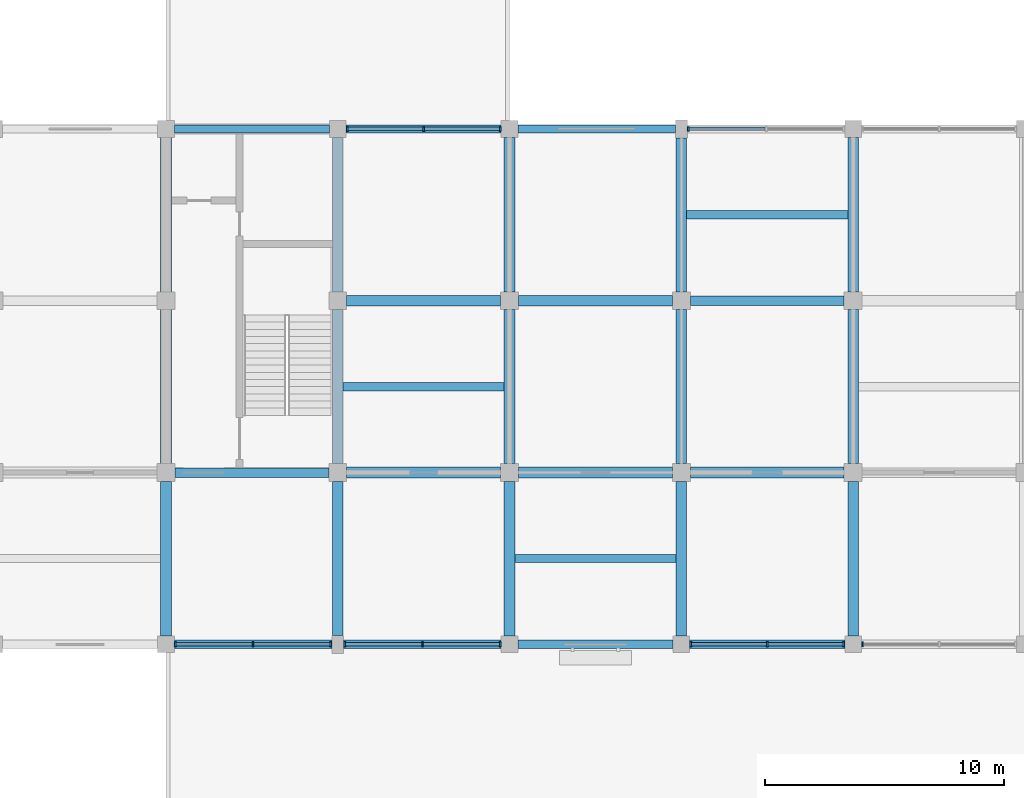
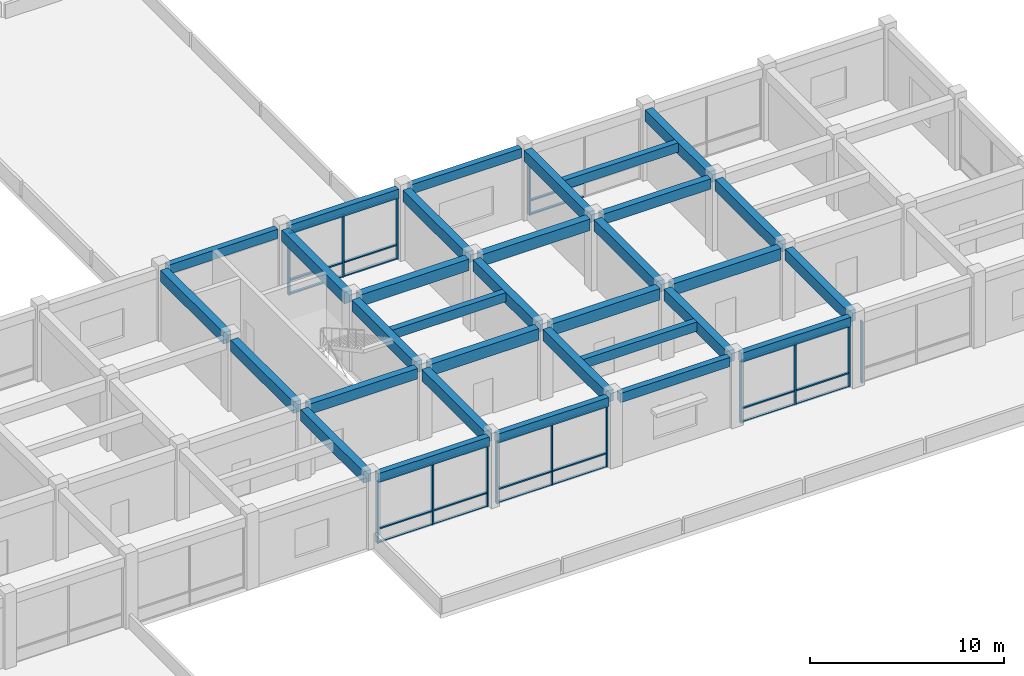
# One storey, part 12 of 30: 40 members, 32 beams, 6 elements without a shape of their own.
"""IFC4 building model written with IfcOpenShell, lengths in metres."""

from ifc_helpers import new_model, si_unit, direction, frame, origin, origin_2d, place, context, subcontext, project, spatial, rectangle, extrude, material, layer, layer_set, material_profile, profile_set, type_object, element, aggregate, save


model = new_model("IFC4")

# Units and contexts
model_context = context("Model", 3, precision=1e-05, world=origin(), true_north=direction((0.0, 1.0)))
body_context = subcontext(model_context, "Body", "Model", "MODEL_VIEW")
ifc_project = project(units=[si_unit("LENGTHUNIT", "METRE"), si_unit("AREAUNIT", "SQUARE_METRE"), si_unit("VOLUMEUNIT", "CUBIC_METRE"), si_unit("PLANEANGLEUNIT", "RADIAN"), si_unit("MASSUNIT", "GRAM", prefix="KILO")], contexts=[model_context])

# Site, building, storey
site_placement = place(None, origin())
site = spatial("IfcSite", under=ifc_project, at=site_placement, CompositionType="ELEMENT")
building_placement = place(site_placement, origin())
building = spatial("IfcBuilding", under=site, at=building_placement, Name="Cendaluz Park School", CompositionType="ELEMENT")
storey_placement = place(building_placement, frame((0.0, 0.0, 9.60009765625)))
storey = spatial("IfcBuildingStorey", under=building, at=storey_placement, Name="L02", CompositionType="ELEMENT", Elevation=9.60009765625)

# Beams
ifc_material_1 = material(Name="Concrete C40/50", Category="concrete")
ifc_material_profile_1 = material_profile(ifc_material_1, rectangle(XDim=0.449951171875, YDim=0.719970703125, at=origin_2d()), Name="RC 450x720", Category="concrete")
ifc_profile_set_1 = profile_set([ifc_material_profile_1], Name="Concrete C40/50")
beam_type_1 = type_object("IfcBeamType", Name="BM-RC02", PredefinedType="BEAM", material=ifc_profile_set_1)
for number, where, z_axis, x_axis, name in (
    (1, (137.175048828125, 14.39990234375, 4.099853515625), (1.0, 0.0, 0.0), (0.0, 1.0, 0.0), "BM-L02-BMRC02-0108"),
    (2, (137.175048828125, 21.60009765625, 4.099853515625), (1.0, 0.0, 0.0), (0.0, 1.0, 0.0), "BM-L02-BMRC02-0109"),
    (3, (144.375, 14.39990234375, 4.099853515625), (1.0, 0.0, 0.0), (0.0, 1.0, 0.0), "BM-L02-BMRC02-0112"),
    (4, (144.375, 21.60009765625, 4.099853515625), (1.0, 0.0, 0.0), (0.0, 1.0, 0.0), "BM-L02-BMRC02-0113"),
    (5, (151.574951171875, 14.39990234375, 4.099853515625), (1.0, 0.0, 0.0), (0.0, 1.0, 0.0), "BM-L02-BMRC02-0116"),
):
    element("IfcBeam", number, at=place(storey_placement, frame(where, z_axis=z_axis, x_axis=x_axis)), inside=storey, type_object=beam_type_1, Name=name, PredefinedType="BEAM", context=body_context, shape_type="SweptSolid", body=[
        extrude(rectangle(XDim=0.449951171875, YDim=0.719970703125, at=origin_2d()), origin(), (0.0, 0.0, 1.0), 6.449951171875),
    ])
beam_1_placement = place(storey_placement, frame((129.60009765625, 7.550048828125, 4.099853515625), z_axis=(0.0, 1.0, 0.0), x_axis=(-1.0, 0.0, 0.0)))
element("IfcBeam", 6, at=beam_1_placement, inside=storey, type_object=beam_type_1, Name="BM-L02-BMRC02-0223", PredefinedType="BEAM", context=body_context, shape_type="SweptSolid", body=[
    extrude(rectangle(XDim=0.449951171875, YDim=0.719970703125, at=origin_2d()), origin(), (0.0, 0.0, 1.0), 6.474853515625),
])
beam_2_placement = place(storey_placement, frame((129.60009765625, 14.77490234375, 4.099853515625), z_axis=(0.0, 1.0, 0.0), x_axis=(-1.0, 0.0, 0.0)))
element("IfcBeam", 7, at=beam_2_placement, inside=storey, type_object=beam_type_1, Name="BM-L02-BMRC02-0224", PredefinedType="BEAM", context=body_context, shape_type="SweptSolid", body=[
    extrude(rectangle(XDim=0.449951171875, YDim=0.719970703125, at=origin_2d()), origin(), (0.0, 0.0, 1.0), 6.4501953125),
])
beam_3_placement = place(storey_placement, frame((129.60009765625, 21.97509765625, 4.099853515625), z_axis=(0.0, 1.0, 0.0), x_axis=(-1.0, 0.0, 0.0)))
element("IfcBeam", 8, at=beam_3_placement, inside=storey, type_object=beam_type_1, Name="BM-L02-BMRC02-0225", PredefinedType="BEAM", context=body_context, shape_type="SweptSolid", body=[
    extrude(rectangle(XDim=0.449951171875, YDim=0.719970703125, at=origin_2d()), origin(), (0.0, 0.0, 1.0), 6.474853515625),
])
beam_4_placement = place(storey_placement, frame((136.800048828125, 7.574951171875, 4.099853515625), z_axis=(0.0, 1.0, 0.0), x_axis=(-1.0, 0.0, 0.0)))
element("IfcBeam", 9, at=beam_4_placement, inside=storey, type_object=beam_type_1, Name="BM-L02-BMRC02-0226", PredefinedType="BEAM", context=body_context, shape_type="SweptSolid", body=[
    extrude(rectangle(XDim=0.449951171875, YDim=0.719970703125, at=origin_2d()), origin(), (0.0, 0.0, 1.0), 6.449951171875),
])
beam_5_placement = place(storey_placement, frame((136.800048828125, 14.77490234375, 4.099853515625), z_axis=(0.0, 1.0, 0.0), x_axis=(-1.0, 0.0, 0.0)))
element("IfcBeam", 10, at=beam_5_placement, inside=storey, type_object=beam_type_1, Name="BM-L02-BMRC02-0227", PredefinedType="BEAM", context=body_context, shape_type="SweptSolid", body=[
    extrude(rectangle(XDim=0.449951171875, YDim=0.719970703125, at=origin_2d()), origin(), (0.0, 0.0, 1.0), 6.4501953125),
])
for number, where, z_axis, x_axis, name in (
    (11, (136.800048828125, 21.97509765625, 4.099853515625), (0.0, 1.0, 0.0), (-1.0, 0.0, 0.0), "BM-L02-BMRC02-0228"),
    (12, (144.0, 7.550048828125, 4.099853515625), (0.0, 1.0, 0.0), (-1.0, 0.0, 0.0), "BM-L02-BMRC02-0229"),
):
    element("IfcBeam", number, at=place(storey_placement, frame(where, z_axis=z_axis, x_axis=x_axis)), inside=storey, type_object=beam_type_1, Name=name, PredefinedType="BEAM", context=body_context, shape_type="SweptSolid", body=[
        extrude(rectangle(XDim=0.449951171875, YDim=0.719970703125, at=origin_2d()), origin(), (0.0, 0.0, 1.0), 6.474853515625),
    ])
beam_6_placement = place(storey_placement, frame((144.0, 14.77490234375, 4.099853515625), z_axis=(0.0, 1.0, 0.0), x_axis=(-1.0, 0.0, 0.0)))
element("IfcBeam", 13, at=beam_6_placement, inside=storey, type_object=beam_type_1, Name="BM-L02-BMRC02-0230", PredefinedType="BEAM", context=body_context, shape_type="SweptSolid", body=[
    extrude(rectangle(XDim=0.449951171875, YDim=0.719970703125, at=origin_2d()), origin(), (0.0, 0.0, 1.0), 6.4501953125),
])
for number, where, z_axis, x_axis, name in (
    (14, (144.0, 21.97509765625, 4.099853515625), (0.0, 1.0, 0.0), (-1.0, 0.0, 0.0), "BM-L02-BMRC02-0231"),
    (15, (151.199951171875, 7.550048828125, 4.099853515625), (0.0, 1.0, 0.0), (-1.0, 0.0, 0.0), "BM-L02-BMRC02-0232"),
):
    element("IfcBeam", number, at=place(storey_placement, frame(where, z_axis=z_axis, x_axis=x_axis)), inside=storey, type_object=beam_type_1, Name=name, PredefinedType="BEAM", context=body_context, shape_type="SweptSolid", body=[
        extrude(rectangle(XDim=0.449951171875, YDim=0.719970703125, at=origin_2d()), origin(), (0.0, 0.0, 1.0), 6.474853515625),
    ])
beam_7_placement = place(storey_placement, frame((151.199951171875, 14.77490234375, 4.099853515625), z_axis=(0.0, 1.0, 0.0), x_axis=(-1.0, 0.0, 0.0)))
element("IfcBeam", 16, at=beam_7_placement, inside=storey, type_object=beam_type_1, Name="BM-L02-BMRC02-0233", PredefinedType="BEAM", context=body_context, shape_type="SweptSolid", body=[
    extrude(rectangle(XDim=0.449951171875, YDim=0.719970703125, at=origin_2d()), origin(), (0.0, 0.0, 1.0), 6.4501953125),
])
beam_8_placement = place(storey_placement, frame((151.199951171875, 21.97509765625, 4.099853515625), z_axis=(0.0, 1.0, 0.0), x_axis=(-1.0, 0.0, 0.0)))
element("IfcBeam", 17, at=beam_8_placement, inside=storey, type_object=beam_type_1, Name="BM-L02-BMRC02-0234", PredefinedType="BEAM", context=body_context, shape_type="SweptSolid", body=[
    extrude(rectangle(XDim=0.449951171875, YDim=0.719970703125, at=origin_2d()), origin(), (0.0, 0.0, 1.0), 6.449951171875),
])
beam_9_placement = place(storey_placement, frame((158.39990234375, 7.550048828125, 4.099853515625), z_axis=(0.0, 1.0, 0.0), x_axis=(-1.0, 0.0, 0.0)))
element("IfcBeam", 18, at=beam_9_placement, inside=storey, type_object=beam_type_1, Name="BM-L02-BMRC02-0235", PredefinedType="BEAM", context=body_context, shape_type="SweptSolid", body=[
    extrude(rectangle(XDim=0.449951171875, YDim=0.719970703125, at=origin_2d()), origin(), (0.0, 0.0, 1.0), 6.474853515625),
])
beam_10_placement = place(storey_placement, frame((158.39990234375, 14.77490234375, 4.099853515625), z_axis=(0.0, 1.0, 0.0), x_axis=(-1.0, 0.0, 0.0)))
element("IfcBeam", 19, at=beam_10_placement, inside=storey, type_object=beam_type_1, Name="BM-L02-BMRC02-0236", PredefinedType="BEAM", context=body_context, shape_type="SweptSolid", body=[
    extrude(rectangle(XDim=0.449951171875, YDim=0.719970703125, at=origin_2d()), origin(), (0.0, 0.0, 1.0), 6.4501953125),
])
beam_11_placement = place(storey_placement, frame((158.39990234375, 21.97509765625, 4.099853515625), z_axis=(0.0, 1.0, 0.0), x_axis=(-1.0, 0.0, 0.0)))
element("IfcBeam", 20, at=beam_11_placement, inside=storey, type_object=beam_type_1, Name="BM-L02-BMRC02-0237", PredefinedType="BEAM", context=body_context, shape_type="SweptSolid", body=[
    extrude(rectangle(XDim=0.449951171875, YDim=0.719970703125, at=origin_2d()), origin(), (0.0, 0.0, 1.0), 6.474853515625),
])
ifc_material_profile_2 = material_profile(ifc_material_1, rectangle(XDim=0.39990234375, YDim=0.64990234375, at=origin_2d()), Name="RC 400x650", Category="concrete")
ifc_profile_set_2 = profile_set([ifc_material_profile_2], Name="Concrete C40/50")
beam_type_2 = type_object("IfcBeamType", Name="BM-RC03", PredefinedType="T_BEAM", material=ifc_profile_set_2)
for number, where, z_axis, x_axis, name in (
    (21, (129.97509765625, 14.39990234375, 4.135009765625), (1.0, 0.0, 0.0), (0.0, 1.0, 0.0), "BM-L02-BMRC03-0105"),
    (22, (151.574951171875, 21.60009765625, 4.135009765625), (1.0, 0.0, 0.0), (0.0, 1.0, 0.0), "BM-L02-BMRC03-0117"),
):
    element("IfcBeam", number, at=place(storey_placement, frame(where, z_axis=z_axis, x_axis=x_axis)), inside=storey, type_object=beam_type_2, Name=name, PredefinedType="T_BEAM", context=body_context, shape_type="SweptSolid", body=[
        extrude(rectangle(XDim=0.39990234375, YDim=0.64990234375, at=origin_2d()), origin(), (0.0, 0.0, 1.0), 6.449951171875),
    ])
ifc_material_profile_3 = material_profile(ifc_material_1, rectangle(XDim=0.35009765625, YDim=0.580078125, at=origin_2d()), Name="RC 350x580", Category="concrete")
ifc_profile_set_3 = profile_set([ifc_material_profile_3], Name="Concrete C40/50")
beam_type_3 = type_object("IfcBeamType", Name="BM-RC04", PredefinedType="LINTEL", material=ifc_profile_set_3)
beam_12_placement = place(storey_placement, frame((129.949951171875, 7.199951171875, 4.169921875), z_axis=(1.0, 0.0, 0.0), x_axis=(0.0, 1.0, 0.0)))
element("IfcBeam", 23, at=beam_12_placement, inside=storey, type_object=beam_type_3, Name="BM-L02-BMRC04-0104", PredefinedType="LINTEL", context=body_context, shape_type="SweptSolid", body=[
    extrude(rectangle(XDim=0.35009765625, YDim=0.580078125, at=origin_2d()), origin(), (0.0, 0.0, 1.0), 6.60009765625),
])
beam_13_placement = place(storey_placement, frame((129.949951171875, 28.800048828125, 4.169921875), z_axis=(1.0, 0.0, 0.0), x_axis=(0.0, 1.0, 0.0)))
element("IfcBeam", 24, at=beam_13_placement, inside=storey, type_object=beam_type_3, Name="BM-L02-BMRC04-0106", PredefinedType="LINTEL", context=body_context, shape_type="SweptSolid", body=[
    extrude(rectangle(XDim=0.35009765625, YDim=0.580078125, at=origin_2d()), origin(), (0.0, 0.0, 1.0), 6.5),
])
beam_14_placement = place(storey_placement, frame((137.050048828125, 7.199951171875, 4.169921875), z_axis=(1.0, 0.0, 0.0), x_axis=(0.0, 1.0, 0.0)))
element("IfcBeam", 25, at=beam_14_placement, inside=storey, type_object=beam_type_3, Name="BM-L02-BMRC04-0107", PredefinedType="LINTEL", context=body_context, shape_type="SweptSolid", body=[
    extrude(rectangle(XDim=0.35009765625, YDim=0.580078125, at=origin_2d()), origin(), (0.0, 0.0, 1.0), 6.599853515625),
])
for number, where, z_axis, x_axis, name in (
    (26, (137.14990234375, 28.800048828125, 4.169921875), (1.0, 0.0, 0.0), (0.0, 1.0, 0.0), "BM-L02-BMRC04-0110"),
    (27, (144.35009765625, 7.199951171875, 4.169921875), (1.0, 0.0, 0.0), (0.0, 1.0, 0.0), "BM-L02-BMRC04-0111"),
):
    element("IfcBeam", number, at=place(storey_placement, frame(where, z_axis=z_axis, x_axis=x_axis)), inside=storey, type_object=beam_type_3, Name=name, PredefinedType="LINTEL", context=body_context, shape_type="SweptSolid", body=[
        extrude(rectangle(XDim=0.35009765625, YDim=0.580078125, at=origin_2d()), origin(), (0.0, 0.0, 1.0), 6.5),
    ])
beam_15_placement = place(storey_placement, frame((144.35009765625, 28.800048828125, 4.169921875), z_axis=(1.0, 0.0, 0.0), x_axis=(0.0, 1.0, 0.0)))
element("IfcBeam", 28, at=beam_15_placement, inside=storey, type_object=beam_type_3, Name="BM-L02-BMRC04-0114", PredefinedType="LINTEL", context=body_context, shape_type="SweptSolid", body=[
    extrude(rectangle(XDim=0.35009765625, YDim=0.580078125, at=origin_2d()), origin(), (0.0, 0.0, 1.0), 6.599853515625),
])
beam_16_placement = place(storey_placement, frame((151.550048828125, 7.199951171875, 4.169921875), z_axis=(1.0, 0.0, 0.0), x_axis=(0.0, 1.0, 0.0)))
element("IfcBeam", 29, at=beam_16_placement, inside=storey, type_object=beam_type_3, Name="BM-L02-BMRC04-0115", PredefinedType="LINTEL", context=body_context, shape_type="SweptSolid", body=[
    extrude(rectangle(XDim=0.35009765625, YDim=0.580078125, at=origin_2d()), origin(), (0.0, 0.0, 1.0), 6.5),
])

# Curtain wall, members
ifc_material_2 = material(Name="Anodised Aluminium 6063-T6", Category="aluminium")
ifc_layer_1 = layer(ifc_material_2, 0.179931640625)
ifc_layer_set_1 = layer_set([ifc_layer_1], Name="Anodised Aluminium 6063-T6")
curtain_wall_type_1 = type_object("IfcCurtainWallType", Name="CW-132x78", PredefinedType="NOTDEFINED", material=ifc_layer_set_1)
curtain_wall_1_placement = place(storey_placement, origin())
curtain_wall_1 = element("IfcCurtainWall", 30, at=curtain_wall_1_placement, inside=storey, type_object=curtain_wall_type_1, Name="CW-L02-122", PredefinedType="NOTDEFINED")
ifc_material_profile_4 = material_profile(ifc_material_2, rectangle(XDim=0.199951171875, YDim=0.080078125, at=origin_2d()), Name="CWM 200x80", Category="aluminium")
ifc_profile_set_4 = profile_set([ifc_material_profile_4], Name="Anodised Aluminium 6063-T6")
member_type_1 = type_object("IfcMemberType", Name="CWM-02", PredefinedType="MULLION", material=ifc_profile_set_4)
member_1_placement = place(storey_placement, frame((129.989990234375, 7.199951171875, 0.0), z_axis=(0.0, 0.0, 1.0), x_axis=(0.0, 1.0, 0.0)))
member_1 = element("IfcMember", 31, at=member_1_placement, type_object=member_type_1, Name="CP-L02-1574", PredefinedType="MULLION", context=body_context, shape_type="SweptSolid", body=[
    extrude(rectangle(XDim=0.199951171875, YDim=0.080078125, at=origin_2d()), origin(), (0.0, 0.0, 1.0), 3.8798828125),
])
member_2_placement = place(storey_placement, frame((133.25, 7.199951171875, 0.0), z_axis=(0.0, 0.0, 1.0), x_axis=(0.0, 1.0, 0.0)))
member_2 = element("IfcMember", 32, at=member_2_placement, type_object=member_type_1, Name="CP-L02-1575", PredefinedType="MULLION", context=body_context, shape_type="SweptSolid", body=[
    extrude(rectangle(XDim=0.199951171875, YDim=0.080078125, at=origin_2d()), origin(), (0.0, 0.0, 1.0), 3.8798828125),
])
member_3_placement = place(storey_placement, frame((136.510009765625, 7.199951171875, 0.0), z_axis=(0.0, 0.0, 1.0), x_axis=(0.0, 1.0, 0.0)))
member_3 = element("IfcMember", 33, at=member_3_placement, type_object=member_type_1, Name="CP-L02-1576", PredefinedType="MULLION", context=body_context, shape_type="SweptSolid", body=[
    extrude(rectangle(XDim=0.199951171875, YDim=0.080078125, at=origin_2d()), origin(), (0.0, 0.0, 1.0), 3.8798828125),
])

curtain_wall_2_placement = place(storey_placement, origin())
curtain_wall_2 = element("IfcCurtainWall", 34, at=curtain_wall_2_placement, inside=storey, type_object=curtain_wall_type_1, Name="CW-L02-123", PredefinedType="NOTDEFINED")
member_4_placement = place(storey_placement, frame((137.090087890625, 7.199951171875, 0.0), z_axis=(0.0, 0.0, 1.0), x_axis=(0.0, 1.0, 0.0)))
member_4 = element("IfcMember", 35, at=member_4_placement, type_object=member_type_1, Name="CP-L02-1587", PredefinedType="MULLION", context=body_context, shape_type="SweptSolid", body=[
    extrude(rectangle(XDim=0.199951171875, YDim=0.080078125, at=origin_2d()), origin(), (0.0, 0.0, 1.0), 3.8798828125),
])
member_5_placement = place(storey_placement, frame((140.35009765625, 7.199951171875, 0.0), z_axis=(0.0, 0.0, 1.0), x_axis=(0.0, 1.0, 0.0)))
member_5 = element("IfcMember", 36, at=member_5_placement, type_object=member_type_1, Name="CP-L02-1588", PredefinedType="MULLION", context=body_context, shape_type="SweptSolid", body=[
    extrude(rectangle(XDim=0.199951171875, YDim=0.080078125, at=origin_2d()), origin(), (0.0, 0.0, 1.0), 3.8798828125),
])
member_6_placement = place(storey_placement, frame((143.610107421875, 7.199951171875, 0.0), z_axis=(0.0, 0.0, 1.0), x_axis=(0.0, 1.0, 0.0)))
member_6 = element("IfcMember", 37, at=member_6_placement, type_object=member_type_1, Name="CP-L02-1589", PredefinedType="MULLION", context=body_context, shape_type="SweptSolid", body=[
    extrude(rectangle(XDim=0.199951171875, YDim=0.080078125, at=origin_2d()), origin(), (0.0, 0.0, 1.0), 3.8798828125),
])

ifc_layer_2 = layer(ifc_material_2, 0.179931640625)
ifc_layer_set_2 = layer_set([ifc_layer_2], Name="Anodised Aluminium 6063-T6")
curtain_wall_type_2 = type_object("IfcCurtainWallType", Name="CW-130x78", PredefinedType="NOTDEFINED", material=ifc_layer_set_2)
curtain_wall_3_placement = place(storey_placement, origin())
curtain_wall_3 = element("IfcCurtainWall", 38, at=curtain_wall_3_placement, inside=storey, type_object=curtain_wall_type_2, Name="CW-L02-124", PredefinedType="NOTDEFINED")
member_7_placement = place(storey_placement, frame((137.18994140625, 28.800048828125, 0.0), z_axis=(0.0, 0.0, 1.0), x_axis=(0.0, 1.0, 0.0)))
member_7 = element("IfcMember", 39, at=member_7_placement, type_object=member_type_1, Name="CP-L02-1600", PredefinedType="MULLION", context=body_context, shape_type="SweptSolid", body=[
    extrude(rectangle(XDim=0.199951171875, YDim=0.080078125, at=origin_2d()), origin(), (0.0, 0.0, 1.0), 3.8798828125),
])
member_8_placement = place(storey_placement, frame((140.39990234375, 28.800048828125, 0.0), z_axis=(0.0, 0.0, 1.0), x_axis=(0.0, 1.0, 0.0)))
member_8 = element("IfcMember", 40, at=member_8_placement, type_object=member_type_1, Name="CP-L02-1601", PredefinedType="MULLION", context=body_context, shape_type="SweptSolid", body=[
    extrude(rectangle(XDim=0.199951171875, YDim=0.080078125, at=origin_2d()), origin(), (0.0, 0.0, 1.0), 3.8798828125),
])
member_9_placement = place(storey_placement, frame((143.610107421875, 28.800048828125, 0.0), z_axis=(0.0, 0.0, 1.0), x_axis=(0.0, 1.0, 0.0)))
member_9 = element("IfcMember", 41, at=member_9_placement, type_object=member_type_1, Name="CP-L02-1602", PredefinedType="MULLION", context=body_context, shape_type="SweptSolid", body=[
    extrude(rectangle(XDim=0.199951171875, YDim=0.080078125, at=origin_2d()), origin(), (0.0, 0.0, 1.0), 3.8798828125),
])

curtain_wall_4_placement = place(storey_placement, origin())
curtain_wall_4 = element("IfcCurtainWall", 42, at=curtain_wall_4_placement, inside=storey, type_object=curtain_wall_type_2, Name="CW-L02-125", PredefinedType="NOTDEFINED")
member_10_placement = place(storey_placement, frame((151.590087890625, 7.199951171875, 0.0), z_axis=(0.0, 0.0, 1.0), x_axis=(0.0, 1.0, 0.0)))
member_10 = element("IfcMember", 43, at=member_10_placement, type_object=member_type_1, Name="CP-L02-1613", PredefinedType="MULLION", context=body_context, shape_type="SweptSolid", body=[
    extrude(rectangle(XDim=0.199951171875, YDim=0.080078125, at=origin_2d()), origin(), (0.0, 0.0, 1.0), 3.8798828125),
])
member_11_placement = place(storey_placement, frame((154.800048828125, 7.199951171875, 0.0), z_axis=(0.0, 0.0, 1.0), x_axis=(0.0, 1.0, 0.0)))
member_11 = element("IfcMember", 44, at=member_11_placement, type_object=member_type_1, Name="CP-L02-1614", PredefinedType="MULLION", context=body_context, shape_type="SweptSolid", body=[
    extrude(rectangle(XDim=0.199951171875, YDim=0.080078125, at=origin_2d()), origin(), (0.0, 0.0, 1.0), 3.8798828125),
])
member_12_placement = place(storey_placement, frame((158.010009765625, 7.199951171875, 0.0), z_axis=(0.0, 0.0, 1.0), x_axis=(0.0, 1.0, 0.0)))
member_12 = element("IfcMember", 45, at=member_12_placement, type_object=member_type_1, Name="CP-L02-1615", PredefinedType="MULLION", context=body_context, shape_type="SweptSolid", body=[
    extrude(rectangle(XDim=0.199951171875, YDim=0.080078125, at=origin_2d()), origin(), (0.0, 0.0, 1.0), 3.8798828125),
])

# Curtain wall, member
curtain_wall_5_placement = place(storey_placement, origin())
curtain_wall_5 = element("IfcCurtainWall", 46, at=curtain_wall_5_placement, inside=storey, type_object=curtain_wall_type_1, Name="CW-L02-126", PredefinedType="NOTDEFINED")
member_13_placement = place(storey_placement, frame((151.489990234375, 28.800048828125, 0.0), z_axis=(0.0, 0.0, 1.0), x_axis=(0.0, 1.0, 0.0)))
member_13 = element("IfcMember", 47, at=member_13_placement, type_object=member_type_1, Name="CP-L02-1626", PredefinedType="MULLION", context=body_context, shape_type="SweptSolid", body=[
    extrude(rectangle(XDim=0.199951171875, YDim=0.080078125, at=origin_2d()), origin(), (0.0, 0.0, 1.0), 3.8798828125),
])

curtain_wall_6_placement = place(storey_placement, origin())
curtain_wall_6 = element("IfcCurtainWall", 48, at=curtain_wall_6_placement, inside=storey, type_object=curtain_wall_type_2, Name="CW-L02-127", PredefinedType="NOTDEFINED")
member_14_placement = place(storey_placement, frame((158.7900390625, 7.199951171875, 0.0), z_axis=(0.0, 0.0, 1.0), x_axis=(0.0, 1.0, 0.0)))
member_14 = element("IfcMember", 49, at=member_14_placement, type_object=member_type_1, Name="CP-L02-1639", PredefinedType="MULLION", context=body_context, shape_type="SweptSolid", body=[
    extrude(rectangle(XDim=0.199951171875, YDim=0.080078125, at=origin_2d()), origin(), (0.0, 0.0, 1.0), 3.8798828125),
])
aggregate(curtain_wall_6, [member_14])

# Member
ifc_material_profile_5 = material_profile(ifc_material_2, rectangle(XDim=0.14990234375, YDim=0.080078125, at=origin_2d()), Name="CWT 150x80", Category="aluminium")
ifc_profile_set_5 = profile_set([ifc_material_profile_5], Name="Anodised Aluminium 6063-T6")
member_type_2 = type_object("IfcMemberType", Name="CWT-02", PredefinedType="USERDEFINED", material=ifc_profile_set_5)
member_15_placement = place(storey_placement, frame((130.030029296875, 7.199951171875, 0.039794921875), z_axis=(1.0, 0.0, 0.0), x_axis=(0.0, 1.0, 0.0)))
member_15 = element("IfcMember", 50, at=member_15_placement, type_object=member_type_2, Name="CP-L02-1577", ObjectType="TRANSOM", PredefinedType="USERDEFINED", context=body_context, shape_type="SweptSolid", body=[
    extrude(rectangle(XDim=0.14990234375, YDim=0.080078125, at=origin_2d()), origin(), (0.0, 0.0, 1.0), 3.179931640625),
])

member_16_placement = place(storey_placement, frame((130.030029296875, 7.199951171875, 0.89990234375), z_axis=(1.0, 0.0, 0.0), x_axis=(0.0, 1.0, 0.0)))
member_16 = element("IfcMember", 51, at=member_16_placement, type_object=member_type_2, Name="CP-L02-1578", ObjectType="TRANSOM", PredefinedType="USERDEFINED", context=body_context, shape_type="SweptSolid", body=[
    extrude(rectangle(XDim=0.14990234375, YDim=0.080078125, at=origin_2d()), origin(), (0.0, 0.0, 1.0), 3.179931640625),
])

member_17_placement = place(storey_placement, frame((130.030029296875, 7.199951171875, 3.83984375), z_axis=(1.0, 0.0, 0.0), x_axis=(0.0, 1.0, 0.0)))
member_17 = element("IfcMember", 52, at=member_17_placement, type_object=member_type_2, Name="CP-L02-1579", ObjectType="TRANSOM", PredefinedType="USERDEFINED", context=body_context, shape_type="SweptSolid", body=[
    extrude(rectangle(XDim=0.14990234375, YDim=0.080078125, at=origin_2d()), origin(), (0.0, 0.0, 1.0), 3.179931640625),
])

member_18_placement = place(storey_placement, frame((133.2900390625, 7.199951171875, 0.039794921875), z_axis=(1.0, 0.0, 0.0), x_axis=(0.0, 1.0, 0.0)))
member_18 = element("IfcMember", 53, at=member_18_placement, type_object=member_type_2, Name="CP-L02-1582", ObjectType="TRANSOM", PredefinedType="USERDEFINED", context=body_context, shape_type="SweptSolid", body=[
    extrude(rectangle(XDim=0.14990234375, YDim=0.080078125, at=origin_2d()), origin(), (0.0, 0.0, 1.0), 3.179931640625),
])

member_19_placement = place(storey_placement, frame((133.2900390625, 7.199951171875, 0.89990234375), z_axis=(1.0, 0.0, 0.0), x_axis=(0.0, 1.0, 0.0)))
member_19 = element("IfcMember", 54, at=member_19_placement, type_object=member_type_2, Name="CP-L02-1583", ObjectType="TRANSOM", PredefinedType="USERDEFINED", context=body_context, shape_type="SweptSolid", body=[
    extrude(rectangle(XDim=0.14990234375, YDim=0.080078125, at=origin_2d()), origin(), (0.0, 0.0, 1.0), 3.179931640625),
])

member_20_placement = place(storey_placement, frame((133.2900390625, 7.199951171875, 3.83984375), z_axis=(1.0, 0.0, 0.0), x_axis=(0.0, 1.0, 0.0)))
member_20 = element("IfcMember", 55, at=member_20_placement, type_object=member_type_2, Name="CP-L02-1584", ObjectType="TRANSOM", PredefinedType="USERDEFINED", context=body_context, shape_type="SweptSolid", body=[
    extrude(rectangle(XDim=0.14990234375, YDim=0.080078125, at=origin_2d()), origin(), (0.0, 0.0, 1.0), 3.179931640625),
])

aggregate(curtain_wall_1, [member_1, member_2, member_3, member_15, member_16, member_17, member_18, member_19, member_20])

member_21_placement = place(storey_placement, frame((137.1298828125, 7.199951171875, 0.039794921875), z_axis=(1.0, 0.0, 0.0), x_axis=(0.0, 1.0, 0.0)))
member_21 = element("IfcMember", 56, at=member_21_placement, type_object=member_type_2, Name="CP-L02-1590", ObjectType="TRANSOM", PredefinedType="USERDEFINED", context=body_context, shape_type="SweptSolid", body=[
    extrude(rectangle(XDim=0.14990234375, YDim=0.080078125, at=origin_2d()), origin(), (0.0, 0.0, 1.0), 3.18017578125),
])

member_22_placement = place(storey_placement, frame((137.1298828125, 7.199951171875, 0.89990234375), z_axis=(1.0, 0.0, 0.0), x_axis=(0.0, 1.0, 0.0)))
member_22 = element("IfcMember", 57, at=member_22_placement, type_object=member_type_2, Name="CP-L02-1591", ObjectType="TRANSOM", PredefinedType="USERDEFINED", context=body_context, shape_type="SweptSolid", body=[
    extrude(rectangle(XDim=0.14990234375, YDim=0.080078125, at=origin_2d()), origin(), (0.0, 0.0, 1.0), 3.18017578125),
])

member_23_placement = place(storey_placement, frame((137.1298828125, 7.199951171875, 3.83984375), z_axis=(1.0, 0.0, 0.0), x_axis=(0.0, 1.0, 0.0)))
member_23 = element("IfcMember", 58, at=member_23_placement, type_object=member_type_2, Name="CP-L02-1592", ObjectType="TRANSOM", PredefinedType="USERDEFINED", context=body_context, shape_type="SweptSolid", body=[
    extrude(rectangle(XDim=0.14990234375, YDim=0.080078125, at=origin_2d()), origin(), (0.0, 0.0, 1.0), 3.18017578125),
])

member_24_placement = place(storey_placement, frame((140.389892578125, 7.199951171875, 0.039794921875), z_axis=(1.0, 0.0, 0.0), x_axis=(0.0, 1.0, 0.0)))
member_24 = element("IfcMember", 59, at=member_24_placement, type_object=member_type_2, Name="CP-L02-1595", ObjectType="TRANSOM", PredefinedType="USERDEFINED", context=body_context, shape_type="SweptSolid", body=[
    extrude(rectangle(XDim=0.14990234375, YDim=0.080078125, at=origin_2d()), origin(), (0.0, 0.0, 1.0), 3.18017578125),
])

member_25_placement = place(storey_placement, frame((140.389892578125, 7.199951171875, 0.89990234375), z_axis=(1.0, 0.0, 0.0), x_axis=(0.0, 1.0, 0.0)))
member_25 = element("IfcMember", 60, at=member_25_placement, type_object=member_type_2, Name="CP-L02-1596", ObjectType="TRANSOM", PredefinedType="USERDEFINED", context=body_context, shape_type="SweptSolid", body=[
    extrude(rectangle(XDim=0.14990234375, YDim=0.080078125, at=origin_2d()), origin(), (0.0, 0.0, 1.0), 3.18017578125),
])

member_26_placement = place(storey_placement, frame((140.389892578125, 7.199951171875, 3.83984375), z_axis=(1.0, 0.0, 0.0), x_axis=(0.0, 1.0, 0.0)))
member_26 = element("IfcMember", 61, at=member_26_placement, type_object=member_type_2, Name="CP-L02-1597", ObjectType="TRANSOM", PredefinedType="USERDEFINED", context=body_context, shape_type="SweptSolid", body=[
    extrude(rectangle(XDim=0.14990234375, YDim=0.080078125, at=origin_2d()), origin(), (0.0, 0.0, 1.0), 3.18017578125),
])

aggregate(curtain_wall_2, [member_4, member_5, member_6, member_21, member_22, member_23, member_24, member_25, member_26])

member_27_placement = place(storey_placement, frame((137.22998046875, 28.800048828125, 0.039794921875), z_axis=(1.0, 0.0, 0.0), x_axis=(0.0, 1.0, 0.0)))
member_27 = element("IfcMember", 62, at=member_27_placement, type_object=member_type_2, Name="CP-L02-1603", ObjectType="TRANSOM", PredefinedType="USERDEFINED", context=body_context, shape_type="SweptSolid", body=[
    extrude(rectangle(XDim=0.14990234375, YDim=0.080078125, at=origin_2d()), origin(), (0.0, 0.0, 1.0), 3.130126953125),
])

member_28_placement = place(storey_placement, frame((137.22998046875, 28.800048828125, 0.89990234375), z_axis=(1.0, 0.0, 0.0), x_axis=(0.0, 1.0, 0.0)))
member_28 = element("IfcMember", 63, at=member_28_placement, type_object=member_type_2, Name="CP-L02-1604", ObjectType="TRANSOM", PredefinedType="USERDEFINED", context=body_context, shape_type="SweptSolid", body=[
    extrude(rectangle(XDim=0.14990234375, YDim=0.080078125, at=origin_2d()), origin(), (0.0, 0.0, 1.0), 3.130126953125),
])

member_29_placement = place(storey_placement, frame((137.22998046875, 28.800048828125, 3.83984375), z_axis=(1.0, 0.0, 0.0), x_axis=(0.0, 1.0, 0.0)))
member_29 = element("IfcMember", 64, at=member_29_placement, type_object=member_type_2, Name="CP-L02-1605", ObjectType="TRANSOM", PredefinedType="USERDEFINED", context=body_context, shape_type="SweptSolid", body=[
    extrude(rectangle(XDim=0.14990234375, YDim=0.080078125, at=origin_2d()), origin(), (0.0, 0.0, 1.0), 3.130126953125),
])

member_30_placement = place(storey_placement, frame((140.43994140625, 28.800048828125, 0.039794921875), z_axis=(1.0, 0.0, 0.0), x_axis=(0.0, 1.0, 0.0)))
member_30 = element("IfcMember", 65, at=member_30_placement, type_object=member_type_2, Name="CP-L02-1608", ObjectType="TRANSOM", PredefinedType="USERDEFINED", context=body_context, shape_type="SweptSolid", body=[
    extrude(rectangle(XDim=0.14990234375, YDim=0.080078125, at=origin_2d()), origin(), (0.0, 0.0, 1.0), 3.130126953125),
])

member_31_placement = place(storey_placement, frame((140.43994140625, 28.800048828125, 0.89990234375), z_axis=(1.0, 0.0, 0.0), x_axis=(0.0, 1.0, 0.0)))
member_31 = element("IfcMember", 66, at=member_31_placement, type_object=member_type_2, Name="CP-L02-1609", ObjectType="TRANSOM", PredefinedType="USERDEFINED", context=body_context, shape_type="SweptSolid", body=[
    extrude(rectangle(XDim=0.14990234375, YDim=0.080078125, at=origin_2d()), origin(), (0.0, 0.0, 1.0), 3.130126953125),
])

member_32_placement = place(storey_placement, frame((140.43994140625, 28.800048828125, 3.83984375), z_axis=(1.0, 0.0, 0.0), x_axis=(0.0, 1.0, 0.0)))
member_32 = element("IfcMember", 67, at=member_32_placement, type_object=member_type_2, Name="CP-L02-1610", ObjectType="TRANSOM", PredefinedType="USERDEFINED", context=body_context, shape_type="SweptSolid", body=[
    extrude(rectangle(XDim=0.14990234375, YDim=0.080078125, at=origin_2d()), origin(), (0.0, 0.0, 1.0), 3.130126953125),
])

aggregate(curtain_wall_3, [member_7, member_8, member_9, member_27, member_28, member_29, member_30, member_31, member_32])

member_33_placement = place(storey_placement, frame((151.6298828125, 7.199951171875, 0.039794921875), z_axis=(1.0, 0.0, 0.0), x_axis=(0.0, 1.0, 0.0)))
member_33 = element("IfcMember", 68, at=member_33_placement, type_object=member_type_2, Name="CP-L02-1616", ObjectType="TRANSOM", PredefinedType="USERDEFINED", context=body_context, shape_type="SweptSolid", body=[
    extrude(rectangle(XDim=0.14990234375, YDim=0.080078125, at=origin_2d()), origin(), (0.0, 0.0, 1.0), 3.130126953125),
])

member_34_placement = place(storey_placement, frame((151.6298828125, 7.199951171875, 0.89990234375), z_axis=(1.0, 0.0, 0.0), x_axis=(0.0, 1.0, 0.0)))
member_34 = element("IfcMember", 69, at=member_34_placement, type_object=member_type_2, Name="CP-L02-1617", ObjectType="TRANSOM", PredefinedType="USERDEFINED", context=body_context, shape_type="SweptSolid", body=[
    extrude(rectangle(XDim=0.14990234375, YDim=0.080078125, at=origin_2d()), origin(), (0.0, 0.0, 1.0), 3.130126953125),
])

member_35_placement = place(storey_placement, frame((151.6298828125, 7.199951171875, 3.83984375), z_axis=(1.0, 0.0, 0.0), x_axis=(0.0, 1.0, 0.0)))
member_35 = element("IfcMember", 70, at=member_35_placement, type_object=member_type_2, Name="CP-L02-1618", ObjectType="TRANSOM", PredefinedType="USERDEFINED", context=body_context, shape_type="SweptSolid", body=[
    extrude(rectangle(XDim=0.14990234375, YDim=0.080078125, at=origin_2d()), origin(), (0.0, 0.0, 1.0), 3.130126953125),
])

member_36_placement = place(storey_placement, frame((154.840087890625, 7.199951171875, 0.039794921875), z_axis=(1.0, 0.0, 0.0), x_axis=(0.0, 1.0, 0.0)))
member_36 = element("IfcMember", 71, at=member_36_placement, type_object=member_type_2, Name="CP-L02-1621", ObjectType="TRANSOM", PredefinedType="USERDEFINED", context=body_context, shape_type="SweptSolid", body=[
    extrude(rectangle(XDim=0.14990234375, YDim=0.080078125, at=origin_2d()), origin(), (0.0, 0.0, 1.0), 3.1298828125),
])

member_37_placement = place(storey_placement, frame((154.840087890625, 7.199951171875, 0.89990234375), z_axis=(1.0, 0.0, 0.0), x_axis=(0.0, 1.0, 0.0)))
member_37 = element("IfcMember", 72, at=member_37_placement, type_object=member_type_2, Name="CP-L02-1622", ObjectType="TRANSOM", PredefinedType="USERDEFINED", context=body_context, shape_type="SweptSolid", body=[
    extrude(rectangle(XDim=0.14990234375, YDim=0.080078125, at=origin_2d()), origin(), (0.0, 0.0, 1.0), 3.1298828125),
])

member_38_placement = place(storey_placement, frame((154.840087890625, 7.199951171875, 3.83984375), z_axis=(1.0, 0.0, 0.0), x_axis=(0.0, 1.0, 0.0)))
member_38 = element("IfcMember", 73, at=member_38_placement, type_object=member_type_2, Name="CP-L02-1623", ObjectType="TRANSOM", PredefinedType="USERDEFINED", context=body_context, shape_type="SweptSolid", body=[
    extrude(rectangle(XDim=0.14990234375, YDim=0.080078125, at=origin_2d()), origin(), (0.0, 0.0, 1.0), 3.1298828125),
])

aggregate(curtain_wall_4, [member_10, member_11, member_12, member_33, member_34, member_35, member_36, member_37, member_38])

member_39_placement = place(storey_placement, frame((151.530029296875, 28.800048828125, 0.039794921875), z_axis=(1.0, 0.0, 0.0), x_axis=(0.0, 1.0, 0.0)))
member_39 = element("IfcMember", 74, at=member_39_placement, type_object=member_type_2, Name="CP-L02-1629", ObjectType="TRANSOM", PredefinedType="USERDEFINED", context=body_context, shape_type="SweptSolid", body=[
    extrude(rectangle(XDim=0.14990234375, YDim=0.080078125, at=origin_2d()), origin(), (0.0, 0.0, 1.0), 3.179931640625),
])

member_40_placement = place(storey_placement, frame((151.530029296875, 28.800048828125, 0.89990234375), z_axis=(1.0, 0.0, 0.0), x_axis=(0.0, 1.0, 0.0)))
member_40 = element("IfcMember", 75, at=member_40_placement, type_object=member_type_2, Name="CP-L02-1630", ObjectType="TRANSOM", PredefinedType="USERDEFINED", context=body_context, shape_type="SweptSolid", body=[
    extrude(rectangle(XDim=0.14990234375, YDim=0.080078125, at=origin_2d()), origin(), (0.0, 0.0, 1.0), 3.179931640625),
])

aggregate(curtain_wall_5, [member_13, member_39, member_40])

# Beams
ifc_material_profile_6 = material_profile(ifc_material_1, rectangle(XDim=0.35009765625, YDim=0.580078125, at=origin_2d()), Name="RC 350x580", Category="concrete")
ifc_profile_set_6 = profile_set([ifc_material_profile_6], Name="Concrete C40/50")
beam_type_4 = type_object("IfcBeamType", Name="JT-RC01", PredefinedType="JOIST", material=ifc_profile_set_6)
for number, where, z_axis, x_axis, name in (
    (76, (137.02490234375, 18.0, 4.169921875), (1.0, 0.0, 0.0), (0.0, 1.0, 0.0), "BM-L02-JTRC01-0271"),
    (77, (144.22509765625, 10.800048828125, 4.169921875), (1.0, 0.0, 0.0), (0.0, 1.0, 0.0), "BM-L02-JTRC01-0272"),
    (78, (151.425048828125, 25.199951171875, 4.169921875), (1.0, 0.0, 0.0), (0.0, 1.0, 0.0), "BM-L02-JTRC01-0273"),
):
    element("IfcBeam", number, at=place(storey_placement, frame(where, z_axis=z_axis, x_axis=x_axis)), inside=storey, type_object=beam_type_4, Name=name, PredefinedType="JOIST", context=body_context, shape_type="SweptSolid", body=[
        extrude(rectangle(XDim=0.35009765625, YDim=0.580078125, at=origin_2d()), origin(), (0.0, 0.0, 1.0), 6.75),
    ])

save(model, "model.ifc")
